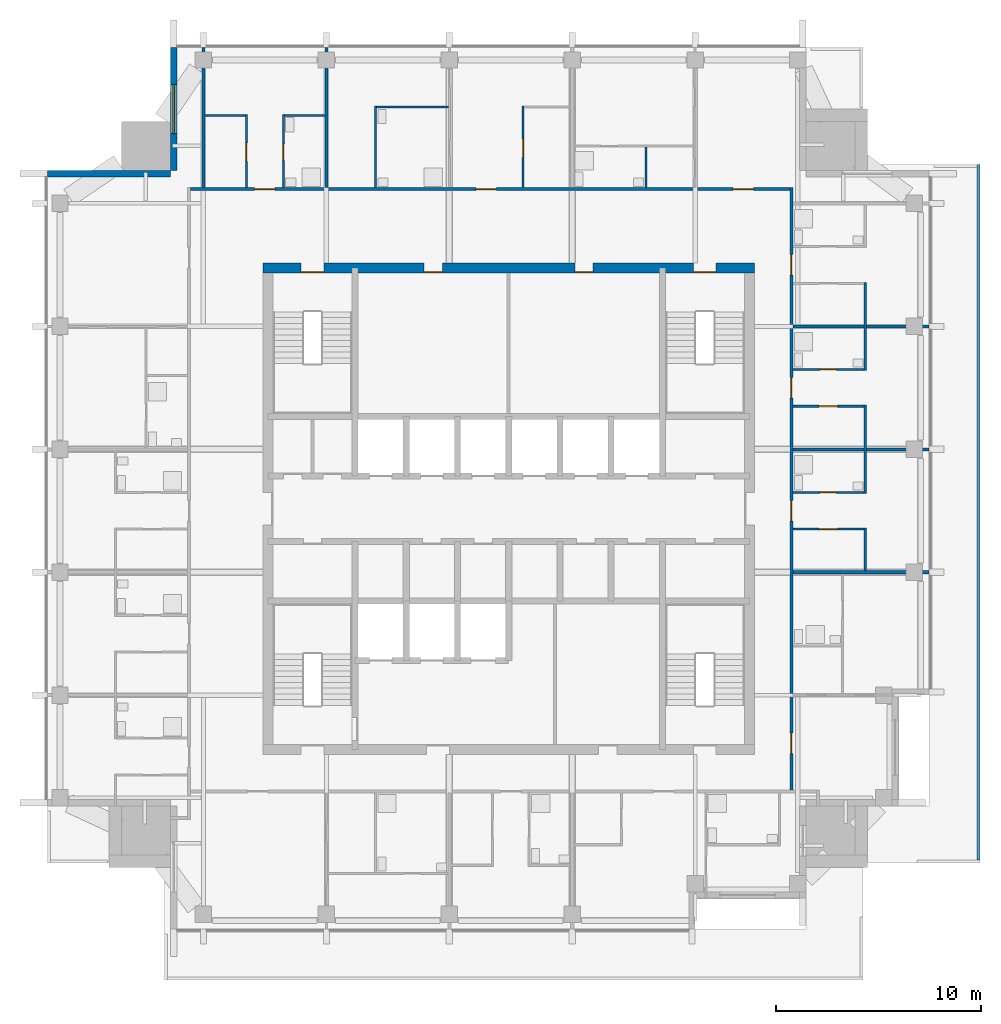
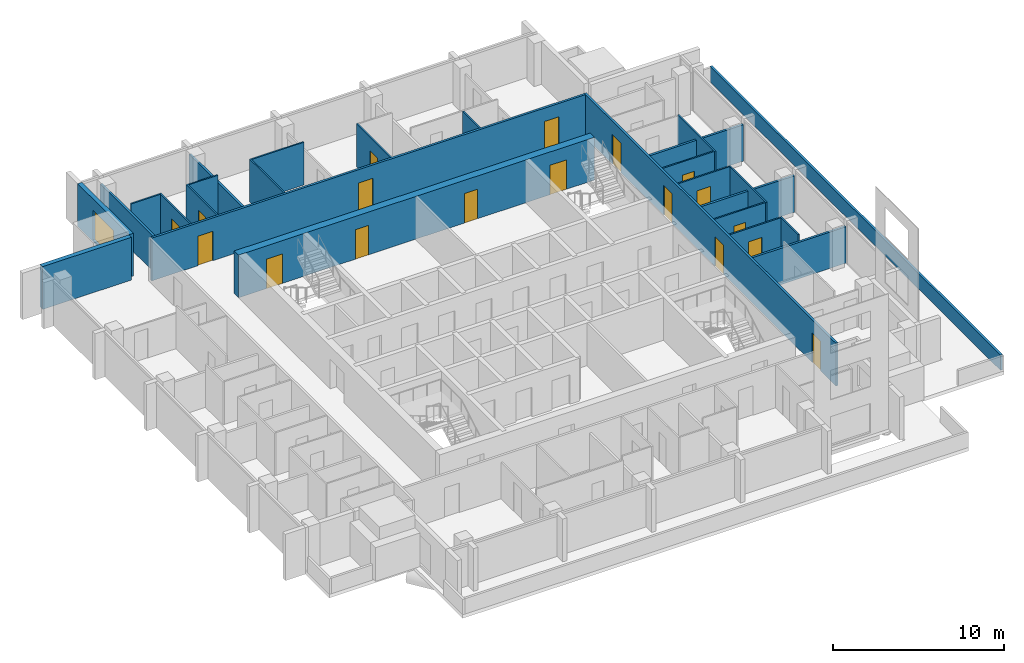
# One storey, part 7 of 11: 26 walls, 18 doors, 1 window, 19 openings.
"""IFC4 building model written with IfcOpenShell, lengths in metres."""

from ifc_helpers import new_model, si_unit, direction, frame, frame_2d, origin, place, context, subcontext, project, spatial, rectangle, extrude, material, layer, layer_set, type_object, element, fill, save


model = new_model("IFC4")

# Units and contexts
model_context = context("Model", 3, precision=1e-05, world=origin(), true_north=direction((0.0, 1.0)))
body_context = subcontext(model_context, "Body", "Model", "MODEL_VIEW")
ifc_project = project(units=[si_unit("LENGTHUNIT", "METRE"), si_unit("AREAUNIT", "SQUARE_METRE"), si_unit("VOLUMEUNIT", "CUBIC_METRE"), si_unit("PLANEANGLEUNIT", "RADIAN"), si_unit("MASSUNIT", "GRAM", prefix="KILO")], contexts=[model_context])

# Site, building, storey
site_placement = place(None, origin())
site = spatial("IfcSite", under=ifc_project, at=site_placement, CompositionType="ELEMENT")
building_placement = place(site_placement, origin())
building = spatial("IfcBuilding", under=site, at=building_placement, Name="Amberfall Residences", CompositionType="ELEMENT")
storey_placement = place(building_placement, frame((0.0, 0.0, 238.89990234375)))
storey = spatial("IfcBuildingStorey", under=building, at=storey_placement, Name="L63", CompositionType="ELEMENT", Elevation=238.89990234375)

# Wall, opening, window
ifc_material_1 = material(Name="Pale stone cladding on insulated backing", Category="masonry")
ifc_layer_1 = layer(ifc_material_1, 0.300048828125)
ifc_layer_set_1 = layer_set([ifc_layer_1], Name="Bronze clad wall 300")
wall_type_1 = type_object("IfcWallType", Name="Bronze clad wall 300", PredefinedType="SOLIDWALL", material=ifc_layer_set_1)
wall_1_placement = place(storey_placement, frame((58.14990234375, 68.0, 0.0), z_axis=(0.0, 0.0, 1.0), x_axis=(0.0, -1.0, 0.0)))
wall_1 = element("IfcWall", 1, at=wall_1_placement, inside=storey, type_object=wall_type_1, Name="External wall L63 NW", PredefinedType="SOLIDWALL", context=body_context, shape_type="SweptSolid", body=[
    extrude(rectangle(XDim=6.0, YDim=0.300048828125, at=frame_2d((3.0, 0.0))), origin(), (0.0, 0.0, 1.0), 3.050048828125),
])
opening_1_placement = place(wall_1_placement, frame((1.800048828125, 0.0, 0.14990234375)))
opening_1 = element("IfcOpeningElement", 2, at=opening_1_placement, cuts=wall_1, Name="Opening WN5", PredefinedType="OPENING", context=body_context, shape_type="SweptSolid", body=[
    extrude(rectangle(XDim=2.39990234375, YDim=2.10009765625, at=frame_2d((1.199951171875, 1.050048828125))), frame((0.0, 0.159912109375, 0.0), z_axis=(0.0, -1.0, 0.0), x_axis=(1.0, 0.0, 0.0)), (0.0, 0.0, 1.0), 0.320068359375),
])
ifc_material_2 = material(Name="Bronze aluminium framed glazing", Category="aluminium")
window_type = type_object("IfcWindowType", Name="Glazed opening 2400 x 2100 bronze", PartitioningType="DOUBLE_PANEL_VERTICAL", PredefinedType="WINDOW", material=ifc_material_2)
window_placement = place(opening_1_placement, origin())
window = element("IfcWindow", 3, at=window_placement, inside=storey, type_object=window_type, Name="Window L63 NW", OverallHeight=2.10009765625, OverallWidth=2.39990234375, PartitioningType="DOUBLE_PANEL_VERTICAL", PredefinedType="WINDOW", context=body_context, shape_type="SweptSolid", body=[
    extrude(rectangle(XDim=2.39990234375, YDim=2.10009765625, at=frame_2d((1.199951171875, 1.050048828125))), frame((0.0, 0.030029296875, 0.0), z_axis=(0.0, -1.0, 0.0), x_axis=(1.0, 0.0, 0.0)), (0.0, 0.0, 1.0), 0.06005859375),
])
fill(opening_1, window)

# Wall
wall_2_placement = place(storey_placement, frame((58.0, 61.85009765625, 0.0), z_axis=(0.0, 0.0, 1.0), x_axis=(-1.0, 0.0, 0.0)))
element("IfcWall", 4, at=wall_2_placement, inside=storey, type_object=wall_type_1, Name="External wall L63 NW", PredefinedType="SOLIDWALL", context=body_context, shape_type="SweptSolid", body=[
    extrude(rectangle(XDim=6.0, YDim=0.300048828125, at=frame_2d((3.0, 0.0))), origin(), (0.0, 0.0, 1.0), 3.050048828125),
])

# Wall, openings, doors
ifc_material_3 = material(Name="Concrete C50", Category="concrete")
ifc_layer_2 = layer(ifc_material_3, 0.5)
ifc_layer_set_2 = layer_set([ifc_layer_2], Name="Core wall 500 C50")
wall_type_2 = type_object("IfcWallType", Name="Core wall 500 C50", PredefinedType="SHEAR", material=ifc_layer_set_2)
wall_3_placement = place(storey_placement, frame((62.5, 57.25, 0.0), z_axis=(0.0, 0.0, 1.0), x_axis=(1.0, 0.0, 0.0)))
wall_3 = element("IfcWall", 5, at=wall_3_placement, inside=storey, type_object=wall_type_2, Name="Core wall RW9 L63 ON", PredefinedType="SHEAR", context=body_context, shape_type="SweptSolid", body=[
    extrude(rectangle(XDim=24.0, YDim=0.5, at=frame_2d((12.0, 0.0))), origin(), (0.0, 0.0, 1.0), 3.050048828125),
])
opening_2_placement = place(wall_3_placement, frame((21.02490234375, 0.0, 0.0)))
opening_2 = element("IfcOpeningElement", 6, at=opening_2_placement, cuts=wall_3, Name="Opening SD1", PredefinedType="OPENING", context=body_context, shape_type="SweptSolid", body=[
    extrude(rectangle(XDim=1.10009765625, YDim=2.10009765625, at=frame_2d((0.550048828125, 1.050048828125))), frame((0.0, 0.260009765625, 0.0), z_axis=(0.0, -1.0, 0.0), x_axis=(1.0, 0.0, 0.0)), (0.0, 0.0, 1.0), 0.52001953125),
])
opening_3_placement = place(wall_3_placement, frame((1.875, 0.0, 0.0)))
opening_3 = element("IfcOpeningElement", 7, at=opening_3_placement, cuts=wall_3, Name="Opening SD1", PredefinedType="OPENING", context=body_context, shape_type="SweptSolid", body=[
    extrude(rectangle(XDim=1.10009765625, YDim=2.10009765625, at=frame_2d((0.550048828125, 1.050048828125))), frame((0.0, 0.260009765625, 0.0), z_axis=(0.0, -1.0, 0.0), x_axis=(1.0, 0.0, 0.0)), (0.0, 0.0, 1.0), 0.52001953125),
])
opening_4_placement = place(wall_3_placement, frame((7.875, 0.0, 0.0)))
opening_4 = element("IfcOpeningElement", 8, at=opening_4_placement, cuts=wall_3, Name="Opening RD1", PredefinedType="OPENING", context=body_context, shape_type="SweptSolid", body=[
    extrude(rectangle(XDim=0.89990234375, YDim=2.10009765625, at=frame_2d((0.449951171875, 1.050048828125))), frame((0.0, 0.260009765625, 0.0), z_axis=(0.0, -1.0, 0.0), x_axis=(1.0, 0.0, 0.0)), (0.0, 0.0, 1.0), 0.52001953125),
])
opening_5_placement = place(wall_3_placement, frame((15.22509765625, 0.0, 0.0)))
opening_5 = element("IfcOpeningElement", 9, at=opening_5_placement, cuts=wall_3, Name="Opening RD1", PredefinedType="OPENING", context=body_context, shape_type="SweptSolid", body=[
    extrude(rectangle(XDim=0.89990234375, YDim=2.10009765625, at=frame_2d((0.449951171875, 1.050048828125))), frame((0.0, 0.260009765625, 0.0), z_axis=(0.0, -1.0, 0.0), x_axis=(1.0, 0.0, 0.0)), (0.0, 0.0, 1.0), 0.52001953125),
])
ifc_material_4 = material(Name="Steel fire door set", Category="steel")
door_type_1 = type_object("IfcDoorType", Name="Service room door 900 x 2100", OperationType="SINGLE_SWING_LEFT", PredefinedType="DOOR", material=ifc_material_4)
door_1_placement = place(opening_4_placement, origin())
door_1 = element("IfcDoor", 10, at=door_1_placement, inside=storey, type_object=door_type_1, Name="RD1 L63", OperationType="SINGLE_SWING_RIGHT", OverallHeight=2.10009765625, OverallWidth=0.89990234375, PredefinedType="DOOR", context=body_context, shape_type="SweptSolid", body=[
    extrude(rectangle(XDim=0.89990234375, YDim=2.10009765625, at=frame_2d((0.449951171875, 1.050048828125))), frame((0.0, -0.1875, 0.0), z_axis=(0.0, -1.0, 0.0), x_axis=(1.0, 0.0, 0.0)), (0.0, 0.0, 1.0), 0.050048828125),
])
fill(opening_4, door_1)
door_2_placement = place(opening_5_placement, origin())
door_2 = element("IfcDoor", 11, at=door_2_placement, inside=storey, type_object=door_type_1, Name="RD1 L63", OperationType="SINGLE_SWING_RIGHT", OverallHeight=2.10009765625, OverallWidth=0.89990234375, PredefinedType="DOOR", context=body_context, shape_type="SweptSolid", body=[
    extrude(rectangle(XDim=0.89990234375, YDim=2.10009765625, at=frame_2d((0.449951171875, 1.050048828125))), frame((0.0, -0.1875, 0.0), z_axis=(0.0, -1.0, 0.0), x_axis=(1.0, 0.0, 0.0)), (0.0, 0.0, 1.0), 0.050048828125),
])
fill(opening_5, door_2)
door_type_2 = type_object("IfcDoorType", Name="Stair door 1100 x 2100", OperationType="SINGLE_SWING_LEFT", PredefinedType="DOOR", material=ifc_material_4)
door_3_placement = place(opening_2_placement, origin())
door_3 = element("IfcDoor", 12, at=door_3_placement, inside=storey, type_object=door_type_2, Name="SD1 L63", OperationType="SINGLE_SWING_RIGHT", OverallHeight=2.10009765625, OverallWidth=1.10009765625, PredefinedType="DOOR", context=body_context, shape_type="SweptSolid", body=[
    extrude(rectangle(XDim=1.10009765625, YDim=2.10009765625, at=frame_2d((0.550048828125, 1.050048828125))), frame((0.0, -0.1875, 0.0), z_axis=(0.0, -1.0, 0.0), x_axis=(1.0, 0.0, 0.0)), (0.0, 0.0, 1.0), 0.050048828125),
])
fill(opening_2, door_3)
door_4_placement = place(opening_3_placement, origin())
door_4 = element("IfcDoor", 13, at=door_4_placement, inside=storey, type_object=door_type_2, Name="SD1 L63", OperationType="SINGLE_SWING_LEFT", OverallHeight=2.10009765625, OverallWidth=1.10009765625, PredefinedType="DOOR", context=body_context, shape_type="SweptSolid", body=[
    extrude(rectangle(XDim=1.10009765625, YDim=2.10009765625, at=frame_2d((0.550048828125, 1.050048828125))), frame((0.0, -0.1875, 0.0), z_axis=(0.0, -1.0, 0.0), x_axis=(1.0, 0.0, 0.0)), (0.0, 0.0, 1.0), 0.050048828125),
])
fill(opening_3, door_4)

# Wall, opening, door
ifc_material_5 = material(Name="Gypsum board on metal stud")
ifc_layer_3 = layer(ifc_material_5, 0.10009765625)
ifc_layer_set_3 = layer_set([ifc_layer_3], Name="Flat partition 100")
wall_type_3 = type_object("IfcWallType", Name="Flat partition 100", PredefinedType="PARTITIONING", material=ifc_layer_set_3)
wall_4_placement = place(storey_placement, frame((61.699951171875, 61.175048828125, 0.0), z_axis=(0.0, 0.0, 1.0), x_axis=(0.0, 1.0, 0.0)))
wall_4 = element("IfcWall", 14, at=wall_4_placement, inside=storey, type_object=wall_type_3, Name="Partition 006", PredefinedType="PARTITIONING", context=body_context, shape_type="SweptSolid", body=[
    extrude(rectangle(XDim=3.574951171875, YDim=0.10009765625, at=frame_2d((1.78759765625, 0.0))), origin(), (0.0, 0.0, 1.0), 3.050048828125),
])
opening_6_placement = place(wall_4_placement, frame((1.27490234375, 0.0, 0.0)))
opening_6 = element("IfcOpeningElement", 15, at=opening_6_placement, cuts=wall_4, Name="Opening D41", PredefinedType="OPENING", context=body_context, shape_type="SweptSolid", body=[
    extrude(rectangle(XDim=0.89990234375, YDim=2.10009765625, at=frame_2d((0.449951171875, 1.050048828125))), frame((0.0, 0.06005859375, 0.0), z_axis=(0.0, -1.0, 0.0), x_axis=(1.0, 0.0, 0.0)), (0.0, 0.0, 1.0), 0.1201171875),
])
ifc_material_6 = material(Name="Timber", Category="wood")
door_type_3 = type_object("IfcDoorType", Name="Internal door 900 x 2100", OperationType="SINGLE_SWING_LEFT", PredefinedType="DOOR", material=ifc_material_6)
door_5_placement = place(opening_6_placement, origin())
door_5 = element("IfcDoor", 16, at=door_5_placement, inside=storey, type_object=door_type_3, Name="Door 6308 kitchen", OperationType="SINGLE_SWING_LEFT", OverallHeight=2.10009765625, OverallWidth=0.89990234375, PredefinedType="DOOR", context=body_context, shape_type="SweptSolid", body=[
    extrude(rectangle(XDim=0.89990234375, YDim=2.10009765625, at=frame_2d((0.449951171875, 1.050048828125))), frame((0.0, 0.02490234375, 0.0), z_axis=(0.0, -1.0, 0.0), x_axis=(1.0, 0.0, 0.0)), (0.0, 0.0, 1.0), 0.050048828125),
])
fill(opening_6, door_5)

wall_5_placement = place(storey_placement, frame((63.5, 64.75, 0.0), z_axis=(0.0, 0.0, 1.0), x_axis=(0.0, -1.0, 0.0)))
wall_5 = element("IfcWall", 17, at=wall_5_placement, inside=storey, type_object=wall_type_3, Name="Partition 007", PredefinedType="PARTITIONING", context=body_context, shape_type="SweptSolid", body=[
    extrude(rectangle(XDim=3.574951171875, YDim=0.10009765625, at=frame_2d((1.78759765625, 0.0))), origin(), (0.0, 0.0, 1.0), 3.050048828125),
])
opening_7_placement = place(wall_5_placement, frame((1.449951171875, 0.0, 0.0)))
opening_7 = element("IfcOpeningElement", 18, at=opening_7_placement, cuts=wall_5, Name="Opening D42", PredefinedType="OPENING", context=body_context, shape_type="SweptSolid", body=[
    extrude(rectangle(XDim=0.800048828125, YDim=2.10009765625, at=frame_2d((0.39990234375, 1.050048828125))), frame((0.0, 0.06005859375, 0.0), z_axis=(0.0, -1.0, 0.0), x_axis=(1.0, 0.0, 0.0)), (0.0, 0.0, 1.0), 0.1201171875),
])
door_type_4 = type_object("IfcDoorType", Name="Bathroom door 800 x 2100", OperationType="SINGLE_SWING_LEFT", PredefinedType="DOOR", material=ifc_material_6)
door_6_placement = place(opening_7_placement, origin())
door_6 = element("IfcDoor", 19, at=door_6_placement, inside=storey, type_object=door_type_4, Name="Door 6308 bath1", OperationType="SINGLE_SWING_LEFT", OverallHeight=2.10009765625, OverallWidth=0.800048828125, PredefinedType="DOOR", context=body_context, shape_type="SweptSolid", body=[
    extrude(rectangle(XDim=0.800048828125, YDim=2.10009765625, at=frame_2d((0.39990234375, 1.050048828125))), frame((0.0, 0.02490234375, 0.0), z_axis=(0.0, -1.0, 0.0), x_axis=(1.0, 0.0, 0.0)), (0.0, 0.0, 1.0), 0.050048828125),
])
fill(opening_7, door_6)

# Wall
wall_6_placement = place(storey_placement, frame((68.0, 61.175048828125, 0.0), z_axis=(0.0, 0.0, 1.0), x_axis=(0.0, 1.0, 0.0)))
element("IfcWall", 20, at=wall_6_placement, inside=storey, type_object=wall_type_3, Name="Partition 010", PredefinedType="PARTITIONING", context=body_context, shape_type="SweptSolid", body=[
    extrude(rectangle(XDim=3.974853515625, YDim=0.10009765625, at=frame_2d((1.9873046875, 0.0))), origin(), (0.0, 0.0, 1.0), 3.050048828125),
])

# Wall, opening, door
wall_7_placement = place(storey_placement, frame((75.199951171875, 65.14990234375, 0.0), z_axis=(0.0, 0.0, 1.0), x_axis=(0.0, -1.0, 0.0)))
wall_7 = element("IfcWall", 21, at=wall_7_placement, inside=storey, type_object=wall_type_3, Name="Partition 013", PredefinedType="PARTITIONING", context=body_context, shape_type="SweptSolid", body=[
    extrude(rectangle(XDim=3.974853515625, YDim=0.10009765625, at=frame_2d((1.9873046875, 0.0))), origin(), (0.0, 0.0, 1.0), 3.050048828125),
])
opening_8_placement = place(wall_7_placement, frame((1.60009765625, 0.0, 0.0)))
opening_8 = element("IfcOpeningElement", 22, at=opening_8_placement, cuts=wall_7, Name="Opening D41", PredefinedType="OPENING", context=body_context, shape_type="SweptSolid", body=[
    extrude(rectangle(XDim=0.89990234375, YDim=2.10009765625, at=frame_2d((0.449951171875, 1.050048828125))), frame((0.0, 0.06005859375, 0.0), z_axis=(0.0, -1.0, 0.0), x_axis=(1.0, 0.0, 0.0)), (0.0, 0.0, 1.0), 0.1201171875),
])
door_7_placement = place(opening_8_placement, origin())
door_7 = element("IfcDoor", 23, at=door_7_placement, inside=storey, type_object=door_type_3, Name="Door 6309 kitchen", OperationType="SINGLE_SWING_LEFT", OverallHeight=2.10009765625, OverallWidth=0.89990234375, PredefinedType="DOOR", context=body_context, shape_type="SweptSolid", body=[
    extrude(rectangle(XDim=0.89990234375, YDim=2.10009765625, at=frame_2d((0.449951171875, 1.050048828125))), frame((0.0, 0.02490234375, 0.0), z_axis=(0.0, -1.0, 0.0), x_axis=(1.0, 0.0, 0.0)), (0.0, 0.0, 1.0), 0.050048828125),
])
fill(opening_8, door_7)

# Walls
wall_8_placement = place(storey_placement, frame((81.199951171875, 61.175048828125, 0.0), z_axis=(0.0, 0.0, 1.0), x_axis=(0.0, 1.0, 0.0)))
element("IfcWall", 24, at=wall_8_placement, inside=storey, type_object=wall_type_3, Name="Partition 016", PredefinedType="PARTITIONING", context=body_context, shape_type="SweptSolid", body=[
    extrude(rectangle(XDim=1.974853515625, YDim=0.10009765625, at=frame_2d((0.9873046875, 0.0))), origin(), (0.0, 0.0, 1.0), 3.050048828125),
])
wall_9_placement = place(storey_placement, frame((91.89990234375, 42.47509765625, 0.0), z_axis=(0.0, 0.0, 1.0), x_axis=(0.0, 1.0, 0.0)))
element("IfcWall", 25, at=wall_9_placement, inside=storey, type_object=wall_type_3, Name="Partition 021", PredefinedType="PARTITIONING", context=body_context, shape_type="SweptSolid", body=[
    extrude(rectangle(XDim=2.074951171875, YDim=0.10009765625, at=frame_2d((1.03759765625, 0.0))), origin(), (0.0, 0.0, 1.0), 3.050048828125),
])
for number, where, z_axis, x_axis, name in (
    (26, (91.89990234375, 46.25, 0.0), (0.0, 0.0, 1.0), (0.0, 1.0, 0.0), "Partition 022"),
    (27, (91.89990234375, 52.25, 0.0), (0.0, 0.0, 1.0), (0.0, 1.0, 0.0), "Partition 023"),
):
    element("IfcWall", number, at=place(storey_placement, frame(where, z_axis=z_axis, x_axis=x_axis)), inside=storey, type_object=wall_type_3, Name=name, PredefinedType="PARTITIONING", context=body_context, shape_type="SweptSolid", body=[
        extrude(rectangle(XDim=4.300048828125, YDim=0.10009765625, at=frame_2d((2.14990234375, 0.0))), origin(), (0.0, 0.0, 1.0), 3.050048828125),
    ])
wall_10_placement = place(storey_placement, frame((68.050048828125, 65.10009765625, 0.0), z_axis=(0.0, 0.0, 1.0), x_axis=(1.0, 0.0, 0.0)))
element("IfcWall", 28, at=wall_10_placement, inside=storey, type_object=wall_type_3, Name="Partition 025", PredefinedType="PARTITIONING", context=body_context, shape_type="SweptSolid", body=[
    extrude(rectangle(XDim=3.5, YDim=0.10009765625, at=frame_2d((1.75, 0.0))), origin(), (0.0, 0.0, 1.0), 3.050048828125),
])
for number, where, z_axis, x_axis, name in (
    (29, (59.675048828125, 64.699951171875, 0.0), (0.0, 0.0, 1.0), (1.0, 0.0, 0.0), "Partition 027"),
    (30, (63.550048828125, 64.699951171875, 0.0), (0.0, 0.0, 1.0), (1.0, 0.0, 0.0), "Partition 028"),
):
    element("IfcWall", number, at=place(storey_placement, frame(where, z_axis=z_axis, x_axis=x_axis)), inside=storey, type_object=wall_type_3, Name=name, PredefinedType="PARTITIONING", context=body_context, shape_type="SweptSolid", body=[
        extrude(rectangle(XDim=1.974853515625, YDim=0.10009765625, at=frame_2d((0.9873046875, 0.0))), origin(), (0.0, 0.0, 1.0), 3.050048828125),
    ])

# Wall, opening, door
wall_11_placement = place(storey_placement, frame((88.375, 52.300048828125, 0.0), z_axis=(0.0, 0.0, 1.0), x_axis=(1.0, 0.0, 0.0)))
wall_11 = element("IfcWall", 31, at=wall_11_placement, inside=storey, type_object=wall_type_3, Name="Partition 033", PredefinedType="PARTITIONING", context=body_context, shape_type="SweptSolid", body=[
    extrude(rectangle(XDim=3.47509765625, YDim=0.10009765625, at=frame_2d((1.737548828125, 0.0))), origin(), (0.0, 0.0, 1.0), 3.050048828125),
])
opening_9_placement = place(wall_11_placement, frame((1.324951171875, 0.0, 0.0)))
opening_9 = element("IfcOpeningElement", 32, at=opening_9_placement, cuts=wall_11, Name="Opening D42", PredefinedType="OPENING", context=body_context, shape_type="SweptSolid", body=[
    extrude(rectangle(XDim=0.800048828125, YDim=2.10009765625, at=frame_2d((0.39990234375, 1.050048828125))), frame((0.0, 0.06005859375, 0.0), z_axis=(0.0, -1.0, 0.0), x_axis=(1.0, 0.0, 0.0)), (0.0, 0.0, 1.0), 0.1201171875),
])
door_8_placement = place(opening_9_placement, origin())
door_8 = element("IfcDoor", 33, at=door_8_placement, inside=storey, type_object=door_type_4, Name="Door 6306 bath1", OperationType="SINGLE_SWING_LEFT", OverallHeight=2.10009765625, OverallWidth=0.800048828125, PredefinedType="DOOR", context=body_context, shape_type="SweptSolid", body=[
    extrude(rectangle(XDim=0.800048828125, YDim=2.10009765625, at=frame_2d((0.39990234375, 1.050048828125))), frame((0.0, 0.02490234375, 0.0), z_axis=(0.0, -1.0, 0.0), x_axis=(1.0, 0.0, 0.0)), (0.0, 0.0, 1.0), 0.050048828125),
])
fill(opening_9, door_8)

wall_12_placement = place(storey_placement, frame((91.85009765625, 50.5, 0.0), z_axis=(0.0, 0.0, 1.0), x_axis=(-1.0, 0.0, 0.0)))
wall_12 = element("IfcWall", 34, at=wall_12_placement, inside=storey, type_object=wall_type_3, Name="Partition 035", PredefinedType="PARTITIONING", context=body_context, shape_type="SweptSolid", body=[
    extrude(rectangle(XDim=3.47509765625, YDim=0.10009765625, at=frame_2d((1.737548828125, 0.0))), origin(), (0.0, 0.0, 1.0), 3.050048828125),
])
opening_10_placement = place(wall_12_placement, frame((1.300048828125, 0.0, 0.0)))
opening_10 = element("IfcOpeningElement", 35, at=opening_10_placement, cuts=wall_12, Name="Opening D41", PredefinedType="OPENING", context=body_context, shape_type="SweptSolid", body=[
    extrude(rectangle(XDim=0.89990234375, YDim=2.10009765625, at=frame_2d((0.449951171875, 1.050048828125))), frame((0.0, 0.06005859375, 0.0), z_axis=(0.0, -1.0, 0.0), x_axis=(1.0, 0.0, 0.0)), (0.0, 0.0, 1.0), 0.1201171875),
])
door_9_placement = place(opening_10_placement, origin())
door_9 = element("IfcDoor", 36, at=door_9_placement, inside=storey, type_object=door_type_3, Name="Door 6306 kitchen", OperationType="SINGLE_SWING_LEFT", OverallHeight=2.10009765625, OverallWidth=0.89990234375, PredefinedType="DOOR", context=body_context, shape_type="SweptSolid", body=[
    extrude(rectangle(XDim=0.89990234375, YDim=2.10009765625, at=frame_2d((0.449951171875, 1.050048828125))), frame((0.0, 0.02490234375, 0.0), z_axis=(0.0, -1.0, 0.0), x_axis=(1.0, 0.0, 0.0)), (0.0, 0.0, 1.0), 0.050048828125),
])
fill(opening_10, door_9)

wall_13_placement = place(storey_placement, frame((88.375, 46.300048828125, 0.0), z_axis=(0.0, 0.0, 1.0), x_axis=(1.0, 0.0, 0.0)))
wall_13 = element("IfcWall", 37, at=wall_13_placement, inside=storey, type_object=wall_type_3, Name="Partition 037", PredefinedType="PARTITIONING", context=body_context, shape_type="SweptSolid", body=[
    extrude(rectangle(XDim=3.47509765625, YDim=0.10009765625, at=frame_2d((1.737548828125, 0.0))), origin(), (0.0, 0.0, 1.0), 3.050048828125),
])
opening_11_placement = place(wall_13_placement, frame((1.324951171875, 0.0, 0.0)))
opening_11 = element("IfcOpeningElement", 38, at=opening_11_placement, cuts=wall_13, Name="Opening D42", PredefinedType="OPENING", context=body_context, shape_type="SweptSolid", body=[
    extrude(rectangle(XDim=0.800048828125, YDim=2.10009765625, at=frame_2d((0.39990234375, 1.050048828125))), frame((0.0, 0.06005859375, 0.0), z_axis=(0.0, -1.0, 0.0), x_axis=(1.0, 0.0, 0.0)), (0.0, 0.0, 1.0), 0.1201171875),
])
door_10_placement = place(opening_11_placement, origin())
door_10 = element("IfcDoor", 39, at=door_10_placement, inside=storey, type_object=door_type_4, Name="Door 6305 bath1", OperationType="SINGLE_SWING_LEFT", OverallHeight=2.10009765625, OverallWidth=0.800048828125, PredefinedType="DOOR", context=body_context, shape_type="SweptSolid", body=[
    extrude(rectangle(XDim=0.800048828125, YDim=2.10009765625, at=frame_2d((0.39990234375, 1.050048828125))), frame((0.0, 0.02490234375, 0.0), z_axis=(0.0, -1.0, 0.0), x_axis=(1.0, 0.0, 0.0)), (0.0, 0.0, 1.0), 0.050048828125),
])
fill(opening_11, door_10)

wall_14_placement = place(storey_placement, frame((91.85009765625, 44.5, 0.0), z_axis=(0.0, 0.0, 1.0), x_axis=(-1.0, 0.0, 0.0)))
wall_14 = element("IfcWall", 40, at=wall_14_placement, inside=storey, type_object=wall_type_3, Name="Partition 039", PredefinedType="PARTITIONING", context=body_context, shape_type="SweptSolid", body=[
    extrude(rectangle(XDim=3.47509765625, YDim=0.10009765625, at=frame_2d((1.737548828125, 0.0))), origin(), (0.0, 0.0, 1.0), 3.050048828125),
])
opening_12_placement = place(wall_14_placement, frame((1.300048828125, 0.0, 0.0)))
opening_12 = element("IfcOpeningElement", 41, at=opening_12_placement, cuts=wall_14, Name="Opening D41", PredefinedType="OPENING", context=body_context, shape_type="SweptSolid", body=[
    extrude(rectangle(XDim=0.89990234375, YDim=2.10009765625, at=frame_2d((0.449951171875, 1.050048828125))), frame((0.0, 0.06005859375, 0.0), z_axis=(0.0, -1.0, 0.0), x_axis=(1.0, 0.0, 0.0)), (0.0, 0.0, 1.0), 0.1201171875),
])
door_11_placement = place(opening_12_placement, origin())
door_11 = element("IfcDoor", 42, at=door_11_placement, inside=storey, type_object=door_type_3, Name="Door 6305 kitchen", OperationType="SINGLE_SWING_LEFT", OverallHeight=2.10009765625, OverallWidth=0.89990234375, PredefinedType="DOOR", context=body_context, shape_type="SweptSolid", body=[
    extrude(rectangle(XDim=0.89990234375, YDim=2.10009765625, at=frame_2d((0.449951171875, 1.050048828125))), frame((0.0, 0.02490234375, 0.0), z_axis=(0.0, -1.0, 0.0), x_axis=(1.0, 0.0, 0.0)), (0.0, 0.0, 1.0), 0.050048828125),
])
fill(opening_12, door_11)

# Walls
ifc_material_7 = material(Name="Blockwork, plastered", Category="masonry")
ifc_layer_4 = layer(ifc_material_7, 0.14990234375)
ifc_layer_set_4 = layer_set([ifc_layer_4], Name="Flat separating wall 150")
wall_type_4 = type_object("IfcWallType", Name="Flat separating wall 150", PredefinedType="PARTITIONING", material=ifc_layer_set_4)
wall_15_placement = place(storey_placement, frame((59.60009765625, 61.175048828125, 0.0), z_axis=(0.0, 0.0, 1.0), x_axis=(0.0, 1.0, 0.0)))
element("IfcWall", 43, at=wall_15_placement, inside=storey, type_object=wall_type_4, Name="Separating wall 052", PredefinedType="PARTITIONING", context=body_context, shape_type="SweptSolid", body=[
    extrude(rectangle(XDim=6.824951171875, YDim=0.14990234375, at=frame_2d((3.41259765625, 0.0))), origin(), (0.0, 0.0, 1.0), 2.510009765625),
])
wall_16_placement = place(storey_placement, frame((65.60009765625, 61.175048828125, 0.0), z_axis=(0.0, 0.0, 1.0), x_axis=(0.0, 1.0, 0.0)))
element("IfcWall", 44, at=wall_16_placement, inside=storey, type_object=wall_type_4, Name="Separating wall 053", PredefinedType="PARTITIONING", context=body_context, shape_type="SweptSolid", body=[
    extrude(rectangle(XDim=6.824951171875, YDim=0.14990234375, at=frame_2d((3.41259765625, 0.0))), origin(), (0.0, 0.0, 1.0), 2.51611328125),
])

# Wall, openings, doors
wall_17_placement = place(storey_placement, frame((88.300048828125, 61.175048828125, 0.0), z_axis=(0.0, 0.0, 1.0), x_axis=(0.0, -1.0, 0.0)))
wall_17 = element("IfcWall", 45, at=wall_17_placement, inside=storey, type_object=wall_type_4, Name="Separating wall 057", PredefinedType="PARTITIONING", context=body_context, shape_type="SweptSolid", body=[
    extrude(rectangle(XDim=29.400146484375, YDim=0.14990234375, at=frame_2d((14.7001953125, 0.0))), origin(), (0.0, 0.0, 1.0), 3.050048828125),
])
opening_13_placement = place(wall_17_placement, frame((26.625, 0.0, 0.0)))
opening_13 = element("IfcOpeningElement", 46, at=opening_13_placement, cuts=wall_17, Name="Opening D40", PredefinedType="OPENING", context=body_context, shape_type="SweptSolid", body=[
    extrude(rectangle(XDim=1.0, YDim=2.10009765625, at=frame_2d((0.5, 1.050048828125))), frame((0.0, 0.0849609375, 0.0), z_axis=(0.0, -1.0, 0.0), x_axis=(1.0, 0.0, 0.0)), (0.0, 0.0, 1.0), 0.169921875),
])
opening_14_placement = place(wall_17_placement, frame((15.27490234375, 0.0, 0.0)))
opening_14 = element("IfcOpeningElement", 47, at=opening_14_placement, cuts=wall_17, Name="Opening D40", PredefinedType="OPENING", context=body_context, shape_type="SweptSolid", body=[
    extrude(rectangle(XDim=1.0, YDim=2.10009765625, at=frame_2d((0.5, 1.050048828125))), frame((0.0, 0.0849609375, 0.0), z_axis=(0.0, -1.0, 0.0), x_axis=(1.0, 0.0, 0.0)), (0.0, 0.0, 1.0), 0.169921875),
])
opening_15_placement = place(wall_17_placement, frame((9.27490234375, 0.0, 0.0)))
opening_15 = element("IfcOpeningElement", 48, at=opening_15_placement, cuts=wall_17, Name="Opening D40", PredefinedType="OPENING", context=body_context, shape_type="SweptSolid", body=[
    extrude(rectangle(XDim=1.0, YDim=2.10009765625, at=frame_2d((0.5, 1.050048828125))), frame((0.0, 0.0849609375, 0.0), z_axis=(0.0, -1.0, 0.0), x_axis=(1.0, 0.0, 0.0)), (0.0, 0.0, 1.0), 0.169921875),
])
opening_16_placement = place(wall_17_placement, frame((3.27490234375, 0.0, 0.0)))
opening_16 = element("IfcOpeningElement", 49, at=opening_16_placement, cuts=wall_17, Name="Opening D40", PredefinedType="OPENING", context=body_context, shape_type="SweptSolid", body=[
    extrude(rectangle(XDim=1.0, YDim=2.10009765625, at=frame_2d((0.5, 1.050048828125))), frame((0.0, 0.0849609375, 0.0), z_axis=(0.0, -1.0, 0.0), x_axis=(1.0, 0.0, 0.0)), (0.0, 0.0, 1.0), 0.169921875),
])
ifc_material_8 = material(Name="Timber, fire-rated", Category="wood")
door_type_5 = type_object("IfcDoorType", Name="Flat entrance door FD60 1000 x 2100", OperationType="SINGLE_SWING_LEFT", PredefinedType="DOOR", material=ifc_material_8)
door_12_placement = place(opening_13_placement, origin())
door_12 = element("IfcDoor", 50, at=door_12_placement, inside=storey, type_object=door_type_5, Name="Door 6304 entrance", OperationType="SINGLE_SWING_LEFT", OverallHeight=2.10009765625, OverallWidth=1.0, PredefinedType="DOOR", context=body_context, shape_type="SweptSolid", body=[
    extrude(rectangle(XDim=1.0, YDim=2.10009765625, at=frame_2d((0.5, 1.050048828125))), frame((0.0, 0.02490234375, 0.0), z_axis=(0.0, -1.0, 0.0), x_axis=(1.0, 0.0, 0.0)), (0.0, 0.0, 1.0), 0.050048828125),
])
fill(opening_13, door_12)
door_13_placement = place(opening_14_placement, origin())
door_13 = element("IfcDoor", 51, at=door_13_placement, inside=storey, type_object=door_type_5, Name="Door 6305 entrance", OperationType="SINGLE_SWING_LEFT", OverallHeight=2.10009765625, OverallWidth=1.0, PredefinedType="DOOR", context=body_context, shape_type="SweptSolid", body=[
    extrude(rectangle(XDim=1.0, YDim=2.10009765625, at=frame_2d((0.5, 1.050048828125))), frame((0.0, 0.02490234375, 0.0), z_axis=(0.0, -1.0, 0.0), x_axis=(1.0, 0.0, 0.0)), (0.0, 0.0, 1.0), 0.050048828125),
])
fill(opening_14, door_13)
door_14_placement = place(opening_15_placement, origin())
door_14 = element("IfcDoor", 52, at=door_14_placement, inside=storey, type_object=door_type_5, Name="Door 6306 entrance", OperationType="SINGLE_SWING_LEFT", OverallHeight=2.10009765625, OverallWidth=1.0, PredefinedType="DOOR", context=body_context, shape_type="SweptSolid", body=[
    extrude(rectangle(XDim=1.0, YDim=2.10009765625, at=frame_2d((0.5, 1.050048828125))), frame((0.0, 0.02490234375, 0.0), z_axis=(0.0, -1.0, 0.0), x_axis=(1.0, 0.0, 0.0)), (0.0, 0.0, 1.0), 0.050048828125),
])
fill(opening_15, door_14)
door_15_placement = place(opening_16_placement, origin())
door_15 = element("IfcDoor", 53, at=door_15_placement, inside=storey, type_object=door_type_5, Name="Door 6307 entrance", OperationType="SINGLE_SWING_LEFT", OverallHeight=2.10009765625, OverallWidth=1.0, PredefinedType="DOOR", context=body_context, shape_type="SweptSolid", body=[
    extrude(rectangle(XDim=1.0, YDim=2.10009765625, at=frame_2d((0.5, 1.050048828125))), frame((0.0, 0.02490234375, 0.0), z_axis=(0.0, -1.0, 0.0), x_axis=(1.0, 0.0, 0.0)), (0.0, 0.0, 1.0), 0.050048828125),
])
fill(opening_16, door_15)

wall_18_placement = place(storey_placement, frame((58.97509765625, 61.10009765625, 0.0), z_axis=(0.0, 0.0, 1.0), x_axis=(1.0, 0.0, 0.0)))
wall_18 = element("IfcWall", 54, at=wall_18_placement, inside=storey, type_object=wall_type_4, Name="Separating wall 059", PredefinedType="PARTITIONING", context=body_context, shape_type="SweptSolid", body=[
    extrude(rectangle(XDim=29.25, YDim=0.14990234375, at=frame_2d((14.625, 0.0))), origin(), (0.0, 0.0, 1.0), 3.050048828125),
])
opening_17_placement = place(wall_18_placement, frame((3.125, 0.0, 0.0)))
opening_17 = element("IfcOpeningElement", 55, at=opening_17_placement, cuts=wall_18, Name="Opening D40", PredefinedType="OPENING", context=body_context, shape_type="SweptSolid", body=[
    extrude(rectangle(XDim=1.0, YDim=2.10009765625, at=frame_2d((0.5, 1.050048828125))), frame((0.0, 0.0849609375, 0.0), z_axis=(0.0, -1.0, 0.0), x_axis=(1.0, 0.0, 0.0)), (0.0, 0.0, 1.0), 0.169921875),
])
opening_18_placement = place(wall_18_placement, frame((13.925048828125, 0.0, 0.0)))
opening_18 = element("IfcOpeningElement", 56, at=opening_18_placement, cuts=wall_18, Name="Opening D40", PredefinedType="OPENING", context=body_context, shape_type="SweptSolid", body=[
    extrude(rectangle(XDim=1.0, YDim=2.10009765625, at=frame_2d((0.5, 1.050048828125))), frame((0.0, 0.0849609375, 0.0), z_axis=(0.0, -1.0, 0.0), x_axis=(1.0, 0.0, 0.0)), (0.0, 0.0, 1.0), 0.169921875),
])
opening_19_placement = place(wall_18_placement, frame((26.47509765625, 0.0, 0.0)))
opening_19 = element("IfcOpeningElement", 57, at=opening_19_placement, cuts=wall_18, Name="Opening D40", PredefinedType="OPENING", context=body_context, shape_type="SweptSolid", body=[
    extrude(rectangle(XDim=1.0, YDim=2.10009765625, at=frame_2d((0.5, 1.050048828125))), frame((0.0, 0.0849609375, 0.0), z_axis=(0.0, -1.0, 0.0), x_axis=(1.0, 0.0, 0.0)), (0.0, 0.0, 1.0), 0.169921875),
])
door_16_placement = place(opening_17_placement, origin())
door_16 = element("IfcDoor", 58, at=door_16_placement, inside=storey, type_object=door_type_5, Name="Door 6308 entrance", OperationType="SINGLE_SWING_LEFT", OverallHeight=2.10009765625, OverallWidth=1.0, PredefinedType="DOOR", context=body_context, shape_type="SweptSolid", body=[
    extrude(rectangle(XDim=1.0, YDim=2.10009765625, at=frame_2d((0.5, 1.050048828125))), frame((0.0, 0.02490234375, 0.0), z_axis=(0.0, -1.0, 0.0), x_axis=(1.0, 0.0, 0.0)), (0.0, 0.0, 1.0), 0.050048828125),
])
fill(opening_17, door_16)
door_17_placement = place(opening_18_placement, origin())
door_17 = element("IfcDoor", 59, at=door_17_placement, inside=storey, type_object=door_type_5, Name="Door 6309 entrance", OperationType="SINGLE_SWING_LEFT", OverallHeight=2.10009765625, OverallWidth=1.0, PredefinedType="DOOR", context=body_context, shape_type="SweptSolid", body=[
    extrude(rectangle(XDim=1.0, YDim=2.10009765625, at=frame_2d((0.5, 1.050048828125))), frame((0.0, 0.02490234375, 0.0), z_axis=(0.0, -1.0, 0.0), x_axis=(1.0, 0.0, 0.0)), (0.0, 0.0, 1.0), 0.050048828125),
])
fill(opening_18, door_17)
door_18_placement = place(opening_19_placement, origin())
door_18 = element("IfcDoor", 60, at=door_18_placement, inside=storey, type_object=door_type_5, Name="Door 6310 entrance", OperationType="SINGLE_SWING_LEFT", OverallHeight=2.10009765625, OverallWidth=1.0, PredefinedType="DOOR", context=body_context, shape_type="SweptSolid", body=[
    extrude(rectangle(XDim=1.0, YDim=2.10009765625, at=frame_2d((0.5, 1.050048828125))), frame((0.0, 0.02490234375, 0.0), z_axis=(0.0, -1.0, 0.0), x_axis=(1.0, 0.0, 0.0)), (0.0, 0.0, 1.0), 0.050048828125),
])
fill(opening_19, door_18)

# Walls
for number, where, z_axis, x_axis, name in (
    (61, (88.375, 54.39990234375, 0.0), (0.0, 0.0, 1.0), (1.0, 0.0, 0.0), "Separating wall 061"),
    (62, (88.375, 48.39990234375, 0.0), (0.0, 0.0, 1.0), (1.0, 0.0, 0.0), "Separating wall 063"),
    (63, (88.375, 42.39990234375, 0.0), (0.0, 0.0, 1.0), (1.0, 0.0, 0.0), "Separating wall 065"),
):
    element("IfcWall", number, at=place(storey_placement, frame(where, z_axis=z_axis, x_axis=x_axis)), inside=storey, type_object=wall_type_4, Name=name, PredefinedType="PARTITIONING", context=body_context, shape_type="SweptSolid", body=[
        extrude(rectangle(XDim=6.625, YDim=0.14990234375, at=frame_2d((3.3125, 0.0))), origin(), (0.0, 0.0, 1.0), 2.590087890625),
    ])
ifc_material_9 = material(Name="Concrete C40", Category="concrete")
ifc_layer_5 = layer(ifc_material_9, 0.14990234375)
ifc_layer_set_5 = layer_set([ifc_layer_5], Name="Ledge parapet 150")
wall_type_5 = type_object("IfcWallType", Name="Ledge parapet 150", PredefinedType="PARAPET", material=ifc_layer_set_5)
wall_19_placement = place(storey_placement, frame((97.425048828125, 28.35009765625, 0.0), z_axis=(0.0, 0.0, 1.0), x_axis=(0.0, 1.0, 0.0)))
element("IfcWall", 64, at=wall_19_placement, inside=storey, type_object=wall_type_5, Name="Roof parapet L63 3", PredefinedType="PARAPET", context=body_context, shape_type="SweptSolid", body=[
    extrude(rectangle(XDim=33.949951171875, YDim=0.14990234375, at=frame_2d((16.97509765625, 0.0))), origin(), (0.0, 0.0, 1.0), 1.10009765625),
])

save(model, "model.ifc")
